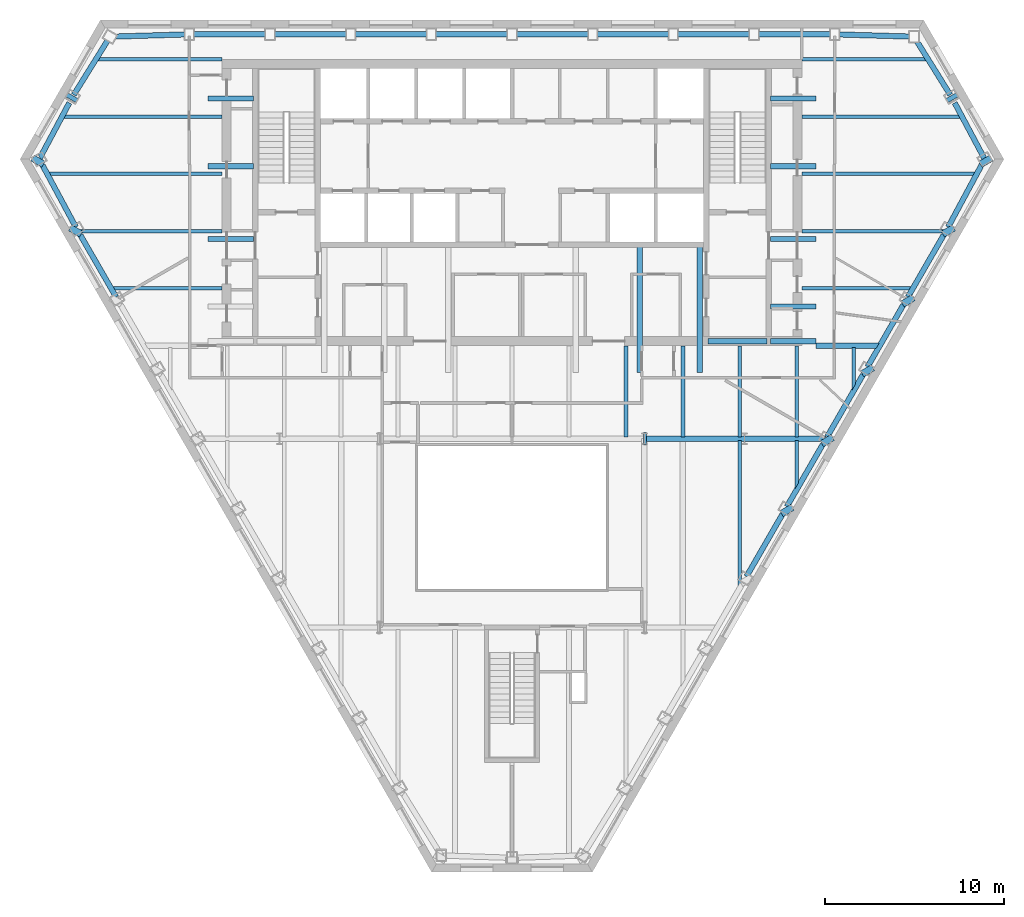
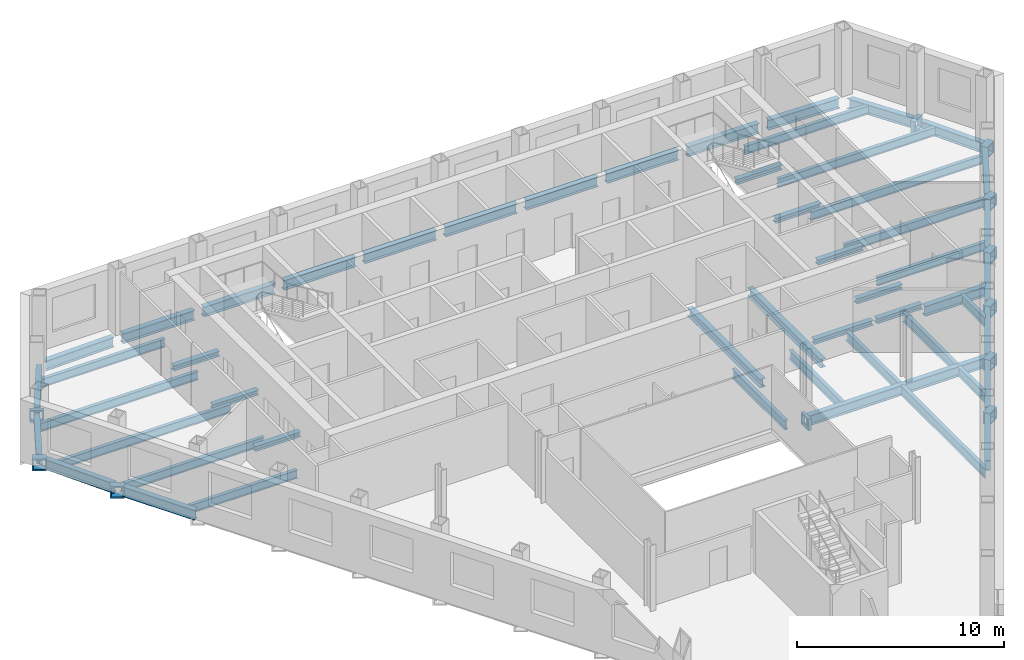
# One storey, part 3 of 11: 64 beams.
"""IFC4 building model written with IfcOpenShell, lengths in metres."""

from ifc_helpers import new_model, si_unit, direction, frame, origin, origin_2d, place, context, subcontext, project, spatial, hollow_rectangle, i_section, extrude, clip, halfspace, material, material_profile, profile_set, type_object, element, save


model = new_model("IFC4")

# Units and contexts
model_context = context("Model", 3, precision=1e-05, world=origin(), true_north=direction((0.0, 1.0)))
body_context = subcontext(model_context, "Body", "Model", "MODEL_VIEW")
ifc_project = project(units=[si_unit("LENGTHUNIT", "METRE"), si_unit("AREAUNIT", "SQUARE_METRE"), si_unit("VOLUMEUNIT", "CUBIC_METRE"), si_unit("PLANEANGLEUNIT", "RADIAN"), si_unit("MASSUNIT", "GRAM", prefix="KILO")], contexts=[model_context])

# Site, building, storey
site_placement = place(None, origin())
site = spatial("IfcSite", under=ifc_project, at=site_placement, CompositionType="ELEMENT")
building_placement = place(site_placement, origin())
building = spatial("IfcBuilding", under=site, at=building_placement, Name="Njiva Tower", CompositionType="ELEMENT")
storey_placement = place(building_placement, frame((0.0, 0.0, 139.8)))
storey = spatial("IfcBuildingStorey", under=building, at=storey_placement, Name="L29", CompositionType="ELEMENT", Elevation=139.8)

# Beams
ifc_material = material(Name="Steel S355 J2", Category="steel")
ifc_material_profile_1 = material_profile(ifc_material, hollow_rectangle(XDim=0.7, YDim=0.7, WallThickness=0.08, at=origin_2d()), Name="BOX 700x700x80")
ifc_profile_set_1 = profile_set([ifc_material_profile_1], Name="Steel S355 J2")
beam_type_1 = type_object("IfcBeamType", Name="B19 Column jog beam BOX 700x700x80", PredefinedType="BEAM", material=ifc_profile_set_1)
beam_1_placement = place(storey_placement, frame((-24.652, 15.747, -0.55), z_axis=(0.499146191955, 0.866517789233, 0.0), x_axis=(-0.866517789233, 0.499146191955, 0.0)))
element("IfcBeam", 1, at=beam_1_placement, inside=storey, type_object=beam_type_1, Name="Column jog beam S10-B044", PredefinedType="BEAM", context=body_context, shape_type="SweptSolid", body=[
    extrude(hollow_rectangle(XDim=0.7, YDim=0.7, WallThickness=0.08, at=origin_2d()), origin(), (0.0, 0.0, 1.0), 0.2504),
])
beam_2_placement = place(storey_placement, frame((-26.578, 12.146, -0.55), z_axis=(0.500102178127, 0.865966403178, 0.0), x_axis=(-0.865966403178, 0.500102178127, 0.0)))
element("IfcBeam", 2, at=beam_2_placement, inside=storey, type_object=beam_type_1, Name="Column jog beam S10-B043", PredefinedType="BEAM", context=body_context, shape_type="SweptSolid", body=[
    extrude(hollow_rectangle(XDim=0.7, YDim=0.7, WallThickness=0.08, at=origin_2d()), origin(), (0.0, 0.0, 1.0), 0.3799),
])
beam_3_placement = place(storey_placement, frame((-24.477, 8.241, -0.55), z_axis=(0.498964444867, 0.866622456874, 0.0), x_axis=(-0.866622456874, 0.498964444867, 0.0)))
element("IfcBeam", 3, at=beam_3_placement, inside=storey, type_object=beam_type_1, Name="Column jog beam S10-B045", PredefinedType="BEAM", context=body_context, shape_type="SweptSolid", body=[
    extrude(hollow_rectangle(XDim=0.7, YDim=0.7, WallThickness=0.08, at=origin_2d()), origin(), (0.0, 0.0, 1.0), 0.3808),
])
for number, where, z_axis, x_axis, name in (
    (4, (15.46, -7.377, -0.55), (-0.500102178127, 0.865966403178, 0.0), (-0.865966403178, -0.500102178127, 0.0), "Column jog beam S10-B065"),
    (5, (17.714, -3.472, -0.55), (-0.500102178127, 0.865966403178, 0.0), (-0.865966403178, -0.500102178127, 0.0), "Column jog beam S10-B066"),
    (6, (19.968, 0.432, -0.55), (-0.500102178127, 0.865966403178, 0.0), (-0.865966403178, -0.500102178127, 0.0), "Column jog beam S10-B067"),
    (7, (22.223, 4.337, -0.55), (-0.500102178127, 0.865966403178, 0.0), (-0.865966403178, -0.500102178127, 0.0), "Column jog beam S10-B068"),
):
    element("IfcBeam", number, at=place(storey_placement, frame(where, z_axis=z_axis, x_axis=x_axis)), inside=storey, type_object=beam_type_1, Name=name, PredefinedType="BEAM", context=body_context, shape_type="SweptSolid", body=[
        extrude(hollow_rectangle(XDim=0.7, YDim=0.7, WallThickness=0.08, at=origin_2d()), origin(), (0.0, 0.0, 1.0), 0.3799),
    ])
beam_4_placement = place(storey_placement, frame((24.477, 8.241, -0.55), z_axis=(-0.498964444867, 0.866622456874, 0.0), x_axis=(-0.866622456874, -0.498964444867, 0.0)))
element("IfcBeam", 8, at=beam_4_placement, inside=storey, type_object=beam_type_1, Name="Column jog beam S10-B069", PredefinedType="BEAM", context=body_context, shape_type="SweptSolid", body=[
    extrude(hollow_rectangle(XDim=0.7, YDim=0.7, WallThickness=0.08, at=origin_2d()), origin(), (0.0, 0.0, 1.0), 0.3808),
])
beam_5_placement = place(storey_placement, frame((26.578, 12.146, -0.55), z_axis=(-0.500102178127, 0.865966403178, 0.0), x_axis=(-0.865966403178, -0.500102178127, 0.0)))
element("IfcBeam", 9, at=beam_5_placement, inside=storey, type_object=beam_type_1, Name="Column jog beam S10-B071", PredefinedType="BEAM", context=body_context, shape_type="SweptSolid", body=[
    extrude(hollow_rectangle(XDim=0.7, YDim=0.7, WallThickness=0.08, at=origin_2d()), origin(), (0.0, 0.0, 1.0), 0.3799),
])
beam_6_placement = place(storey_placement, frame((24.652, 15.747, -0.55), z_axis=(-0.499146191955, 0.866517789233, 0.0), x_axis=(-0.866517789233, -0.499146191955, 0.0)))
element("IfcBeam", 10, at=beam_6_placement, inside=storey, type_object=beam_type_1, Name="Column jog beam S10-B070", PredefinedType="BEAM", context=body_context, shape_type="SweptSolid", body=[
    extrude(hollow_rectangle(XDim=0.7, YDim=0.7, WallThickness=0.08, at=origin_2d()), origin(), (0.0, 0.0, 1.0), 0.2504),
])
beam_7_placement = place(storey_placement, frame((7.52, -3.2, -0.55), z_axis=(-1.0, 0.0, 0.0), x_axis=(0.0, -1.0, 0.0)))
element("IfcBeam", 11, at=beam_7_placement, inside=storey, type_object=beam_type_1, Name="Column jog beam S10-B061", PredefinedType="BEAM", context=body_context, shape_type="SweptSolid", body=[
    extrude(hollow_rectangle(XDim=0.7, YDim=0.7, WallThickness=0.08, at=origin_2d()), origin(), (0.0, 0.0, 1.0), 0.18),
])
ifc_material_profile_2 = material_profile(ifc_material, i_section(OverallWidth=0.2, OverallDepth=0.5, WebThickness=0.0102, FlangeThickness=0.016, at=origin_2d()), Name="IPE 500")
ifc_profile_set_2 = profile_set([ifc_material_profile_2], Name="Steel S355 J2")
beam_type_2 = type_object("IfcBeamType", Name="B24 Floor beam to the core IPE 500", PredefinedType="BEAM", material=ifc_profile_set_2)
beam_8_placement = place(storey_placement, frame((-22.364, 5.2, -0.45), z_axis=(1.0, 0.0, 0.0), x_axis=(0.0, 1.0, 0.0)))
element("IfcBeam", 12, at=beam_8_placement, inside=storey, type_object=beam_type_2, Name="Floor beam to the core S10-B024", PredefinedType="BEAM", context=body_context, shape_type="Clipping", body=[
    clip(extrude(i_section(OverallWidth=0.2, OverallDepth=0.5, WebThickness=0.0102, FlangeThickness=0.016, at=origin_2d()), origin(), (0.0, 0.0, 1.0), 6.164), halfspace(frame((-0.025, 0.0, 0.0929), z_axis=(-0.499998009787, 0.0, -0.866026552831), x_axis=(0.0, -1.0, 0.0)), False)),
])
beam_9_placement = place(storey_placement, frame((16.2, 5.2, -0.45), z_axis=(1.0, 0.0, 0.0), x_axis=(0.0, 1.0, 0.0)))
element("IfcBeam", 13, at=beam_9_placement, inside=storey, type_object=beam_type_2, Name="Floor beam to the core S10-B025", PredefinedType="BEAM", context=body_context, shape_type="Clipping", body=[
    clip(extrude(i_section(OverallWidth=0.2, OverallDepth=0.5, WebThickness=0.0102, FlangeThickness=0.016, at=origin_2d()), origin(), (0.0, 0.0, 1.0), 6.164), halfspace(frame((-0.025, 0.0, 6.0711), z_axis=(-0.499998009787, 0.0, 0.866026552831), x_axis=(0.0, 1.0, 0.0)), False)),
])
beam_10_placement = place(storey_placement, frame((-24.24, 8.4, -0.45), z_axis=(1.0, 0.0, 0.0), x_axis=(0.0, 1.0, 0.0)))
element("IfcBeam", 14, at=beam_10_placement, inside=storey, type_object=beam_type_2, Name="Floor beam to the core S10-B021", PredefinedType="BEAM", context=body_context, shape_type="Clipping", body=[
    clip(extrude(i_section(OverallWidth=0.2, OverallDepth=0.5, WebThickness=0.0102, FlangeThickness=0.016, at=origin_2d()), origin(), (0.0, 0.0, 1.0), 8.04), halfspace(frame((-0.025, 0.0, 0.0921), z_axis=(-0.499998009787, 0.0, -0.866026552831), x_axis=(0.0, -1.0, 0.0)), False)),
])
beam_11_placement = place(storey_placement, frame((16.2, 8.4, -0.45), z_axis=(1.0, 0.0, 0.0), x_axis=(0.0, 1.0, 0.0)))
element("IfcBeam", 15, at=beam_11_placement, inside=storey, type_object=beam_type_2, Name="Floor beam to the core S10-B027", PredefinedType="BEAM", context=body_context, shape_type="Clipping", body=[
    clip(extrude(i_section(OverallWidth=0.2, OverallDepth=0.5, WebThickness=0.0102, FlangeThickness=0.016, at=origin_2d()), origin(), (0.0, 0.0, 1.0), 8.04), halfspace(frame((-0.025, 0.0, 7.9479), z_axis=(-0.499998009787, 0.0, 0.866026552831), x_axis=(0.0, 1.0, 0.0)), False)),
])
beam_12_placement = place(storey_placement, frame((-25.11, 14.8, -0.45), z_axis=(1.0, 0.0, 0.0), x_axis=(0.0, 1.0, 0.0)))
element("IfcBeam", 16, at=beam_12_placement, inside=storey, type_object=beam_type_2, Name="Floor beam to the core S10-B020", PredefinedType="BEAM", context=body_context, shape_type="Clipping", body=[
    clip(extrude(i_section(OverallWidth=0.2, OverallDepth=0.5, WebThickness=0.0102, FlangeThickness=0.016, at=origin_2d()), origin(), (0.0, 0.0, 1.0), 8.91), halfspace(frame((0.0235, 0.0, 0.0859), z_axis=(0.470559169346, 0.0, -0.8823684424), x_axis=(0.0, -1.0, 0.0)), False)),
])
beam_13_placement = place(storey_placement, frame((16.2, 14.8, -0.45), z_axis=(1.0, 0.0, 0.0), x_axis=(0.0, 1.0, 0.0)))
element("IfcBeam", 17, at=beam_13_placement, inside=storey, type_object=beam_type_2, Name="Floor beam to the core S10-B029", PredefinedType="BEAM", context=body_context, shape_type="Clipping", body=[
    clip(extrude(i_section(OverallWidth=0.2, OverallDepth=0.5, WebThickness=0.0102, FlangeThickness=0.016, at=origin_2d()), origin(), (0.0, 0.0, 1.0), 8.91), halfspace(frame((0.0235, 0.0, 8.8241), z_axis=(0.470559169346, 0.0, 0.8823684424), x_axis=(0.0, 1.0, 0.0)), False)),
])
beam_14_placement = place(storey_placement, frame((-23.22, 18.0, -0.45), z_axis=(1.0, 0.0, 0.0), x_axis=(0.0, 1.0, 0.0)))
element("IfcBeam", 18, at=beam_14_placement, inside=storey, type_object=beam_type_2, Name="Floor beam to the core S10-B023", PredefinedType="BEAM", context=body_context, shape_type="Clipping", body=[
    clip(extrude(i_section(OverallWidth=0.2, OverallDepth=0.5, WebThickness=0.0102, FlangeThickness=0.016, at=origin_2d()), origin(), (0.0, 0.0, 1.0), 7.02), halfspace(frame((0.0264, 0.0, 0.0986), z_axis=(0.528871278045, 0.0, -0.848702050933), x_axis=(0.0, -1.0, 0.0)), False)),
])
beam_15_placement = place(storey_placement, frame((16.2, 18.0, -0.45), z_axis=(1.0, 0.0, 0.0), x_axis=(0.0, 1.0, 0.0)))
element("IfcBeam", 19, at=beam_15_placement, inside=storey, type_object=beam_type_2, Name="Floor beam to the core S10-B030", PredefinedType="BEAM", context=body_context, shape_type="Clipping", body=[
    clip(extrude(i_section(OverallWidth=0.2, OverallDepth=0.5, WebThickness=0.0102, FlangeThickness=0.016, at=origin_2d()), origin(), (0.0, 0.0, 1.0), 7.02), halfspace(frame((0.0264, 0.0, 6.9214), z_axis=(0.528871278045, 0.0, 0.848702050933), x_axis=(0.0, 1.0, 0.0)), False)),
])
ifc_material_profile_3 = material_profile(ifc_material, i_section(OverallWidth=0.3, OverallDepth=0.59, WebThickness=0.013, FlangeThickness=0.025, at=origin_2d()), Name="HEA 600")
ifc_profile_set_3 = profile_set([ifc_material_profile_3], Name="Steel S355 J2")
beam_type_3 = type_object("IfcBeamType", Name="B27 Short-span spandrel beam HEA 600", PredefinedType="SPANDREL", material=ifc_profile_set_3)
beam_16_placement = place(storey_placement, frame((22.212, 19.275, -0.495), z_axis=(-0.999555783921, 0.029803268787, 0.0), x_axis=(-0.029803268787, -0.999555783921, 0.0)))
element("IfcBeam", 20, at=beam_16_placement, inside=storey, type_object=beam_type_3, Name="Short-span spandrel beam S10-B158", PredefinedType="SPANDREL", context=body_context, shape_type="SweptSolid", body=[
    extrude(i_section(OverallWidth=0.3, OverallDepth=0.59, WebThickness=0.013, FlangeThickness=0.025, at=origin_2d()), origin(), (0.0, 0.0, 1.0), 3.9257),
])
beam_17_placement = place(storey_placement, frame((17.784, 19.4, -0.495), z_axis=(-1.0, 0.0, 0.0), x_axis=(0.0, -1.0, 0.0)))
element("IfcBeam", 21, at=beam_17_placement, inside=storey, type_object=beam_type_3, Name="Short-span spandrel beam S10-B153", PredefinedType="SPANDREL", context=body_context, shape_type="SweptSolid", body=[
    extrude(i_section(OverallWidth=0.3, OverallDepth=0.59, WebThickness=0.013, FlangeThickness=0.025, at=origin_2d()), origin(), (0.0, 0.0, 1.0), 4.008),
])
beam_18_placement = place(storey_placement, frame((13.276, 19.4, -0.495), z_axis=(-1.0, 0.0, 0.0), x_axis=(0.0, -1.0, 0.0)))
element("IfcBeam", 22, at=beam_18_placement, inside=storey, type_object=beam_type_3, Name="Short-span spandrel beam S10-B148", PredefinedType="SPANDREL", context=body_context, shape_type="SweptSolid", body=[
    extrude(i_section(OverallWidth=0.3, OverallDepth=0.59, WebThickness=0.013, FlangeThickness=0.025, at=origin_2d()), origin(), (0.0, 0.0, 1.0), 4.009),
])
beam_19_placement = place(storey_placement, frame((8.767, 19.4, -0.495), z_axis=(-1.0, 0.0, 0.0), x_axis=(0.0, -1.0, 0.0)))
element("IfcBeam", 23, at=beam_19_placement, inside=storey, type_object=beam_type_3, Name="Short-span spandrel beam S10-B143", PredefinedType="SPANDREL", context=body_context, shape_type="SweptSolid", body=[
    extrude(i_section(OverallWidth=0.3, OverallDepth=0.59, WebThickness=0.013, FlangeThickness=0.025, at=origin_2d()), origin(), (0.0, 0.0, 1.0), 4.008),
])
for number, where, z_axis, x_axis, name in (
    (24, (4.259, 19.4, -0.495), (-1.0, 0.0, 0.0), (0.0, -1.0, 0.0), "Short-span spandrel beam S10-B140"),
    (25, (-0.25, 19.4, -0.495), (-1.0, 0.0, 0.0), (0.0, -1.0, 0.0), "Short-span spandrel beam S10-B135"),
):
    element("IfcBeam", number, at=place(storey_placement, frame(where, z_axis=z_axis, x_axis=x_axis)), inside=storey, type_object=beam_type_3, Name=name, PredefinedType="SPANDREL", context=body_context, shape_type="SweptSolid", body=[
        extrude(i_section(OverallWidth=0.3, OverallDepth=0.59, WebThickness=0.013, FlangeThickness=0.025, at=origin_2d()), origin(), (0.0, 0.0, 1.0), 4.009),
    ])
beam_20_placement = place(storey_placement, frame((-4.759, 19.4, -0.495), z_axis=(-1.0, 0.0, 0.0), x_axis=(0.0, -1.0, 0.0)))
element("IfcBeam", 26, at=beam_20_placement, inside=storey, type_object=beam_type_3, Name="Short-span spandrel beam S10-B130", PredefinedType="SPANDREL", context=body_context, shape_type="SweptSolid", body=[
    extrude(i_section(OverallWidth=0.3, OverallDepth=0.59, WebThickness=0.013, FlangeThickness=0.025, at=origin_2d()), origin(), (0.0, 0.0, 1.0), 4.008),
])
beam_21_placement = place(storey_placement, frame((-9.267, 19.4, -0.495), z_axis=(-1.0, 0.0, 0.0), x_axis=(0.0, -1.0, 0.0)))
element("IfcBeam", 27, at=beam_21_placement, inside=storey, type_object=beam_type_3, Name="Short-span spandrel beam S10-B125", PredefinedType="SPANDREL", context=body_context, shape_type="SweptSolid", body=[
    extrude(i_section(OverallWidth=0.3, OverallDepth=0.59, WebThickness=0.013, FlangeThickness=0.025, at=origin_2d()), origin(), (0.0, 0.0, 1.0), 4.009),
])
beam_22_placement = place(storey_placement, frame((-13.776, 19.4, -0.495), z_axis=(-1.0, 0.0, 0.0), x_axis=(0.0, -1.0, 0.0)))
element("IfcBeam", 28, at=beam_22_placement, inside=storey, type_object=beam_type_3, Name="Short-span spandrel beam S10-B120", PredefinedType="SPANDREL", context=body_context, shape_type="SweptSolid", body=[
    extrude(i_section(OverallWidth=0.3, OverallDepth=0.59, WebThickness=0.013, FlangeThickness=0.025, at=origin_2d()), origin(), (0.0, 0.0, 1.0), 4.008),
])
beam_23_placement = place(storey_placement, frame((-18.288, 19.392, -0.495), z_axis=(-0.999548579163, -0.030043932724, 0.0), x_axis=(0.030043932724, -0.999548579163, 0.0)))
element("IfcBeam", 29, at=beam_23_placement, inside=storey, type_object=beam_type_3, Name="Short-span spandrel beam S10-B115", PredefinedType="SPANDREL", context=body_context, shape_type="Clipping", body=[
    clip(extrude(i_section(OverallWidth=0.3, OverallDepth=0.59, WebThickness=0.013, FlangeThickness=0.025, at=origin_2d()), origin(), (0.0, 0.0, 1.0), 3.9407), halfspace(frame((-0.0268, 0.0, 3.811), z_axis=(-0.525791143758, 0.0, 0.850613703832), x_axis=(0.0, 1.0, 0.0)), False)),
])
beam_24_placement = place(storey_placement, frame((-22.601, 19.051, -0.495), z_axis=(-0.528741021895, -0.848783206576, 0.0), x_axis=(0.848783206576, -0.528741021895, 0.0)))
element("IfcBeam", 30, at=beam_24_placement, inside=storey, type_object=beam_type_3, Name="Short-span spandrel beam S10-B111", PredefinedType="SPANDREL", context=body_context, shape_type="SweptSolid", body=[
    extrude(i_section(OverallWidth=0.3, OverallDepth=0.59, WebThickness=0.013, FlangeThickness=0.025, at=origin_2d()), origin(), (0.0, 0.0, 1.0), 3.5745),
])
beam_25_placement = place(storey_placement, frame((-24.738, 15.572, -0.495), z_axis=(-0.470618059864, -0.882337034092, 0.0), x_axis=(0.882337034092, -0.470618059864, 0.0)))
element("IfcBeam", 31, at=beam_25_placement, inside=storey, type_object=beam_type_3, Name="Short-span spandrel beam S10-B107", PredefinedType="SPANDREL", context=body_context, shape_type="Clipping", body=[
    clip(extrude(i_section(OverallWidth=0.3, OverallDepth=0.59, WebThickness=0.013, FlangeThickness=0.025, at=origin_2d()), origin(), (0.0, 0.0, 1.0), 3.5935), halfspace(frame((-0.0264, 0.0, 3.4646), z_axis=(-0.528819206768, 0.0, 0.848734497091), x_axis=(0.0, 1.0, 0.0)), False)),
])
beam_26_placement = place(storey_placement, frame((-26.236, 12.085, -0.495), z_axis=(0.473902399483, -0.880577376364, 0.0), x_axis=(0.880577376364, 0.473902399483, 0.0)))
element("IfcBeam", 32, at=beam_26_placement, inside=storey, type_object=beam_type_3, Name="Short-span spandrel beam S10-B110", PredefinedType="SPANDREL", context=body_context, shape_type="SweptSolid", body=[
    extrude(i_section(OverallWidth=0.3, OverallDepth=0.59, WebThickness=0.013, FlangeThickness=0.025, at=origin_2d()), origin(), (0.0, 0.0, 1.0), 3.927),
])
beam_27_placement = place(storey_placement, frame((-24.127, 8.189, -0.495), z_axis=(0.500003221507, -0.866023543838, 0.0), x_axis=(0.866023543838, 0.500003221507, 0.0)))
element("IfcBeam", 33, at=beam_27_placement, inside=storey, type_object=beam_type_3, Name="Short-span spandrel beam S10-B114", PredefinedType="SPANDREL", context=body_context, shape_type="SweptSolid", body=[
    extrude(i_section(OverallWidth=0.3, OverallDepth=0.59, WebThickness=0.013, FlangeThickness=0.025, at=origin_2d()), origin(), (0.0, 0.0, 1.0), 4.008),
])
beam_28_placement = place(storey_placement, frame((13.105, -10.901, -0.495), z_axis=(0.500082280366, 0.865977893981, 0.0), x_axis=(-0.865977893981, 0.500082280366, 0.0)))
element("IfcBeam", 34, at=beam_28_placement, inside=storey, type_object=beam_type_3, Name="Short-span spandrel beam S10-B151", PredefinedType="SPANDREL", context=body_context, shape_type="SweptSolid", body=[
    extrude(i_section(OverallWidth=0.3, OverallDepth=0.59, WebThickness=0.013, FlangeThickness=0.025, at=origin_2d()), origin(), (0.0, 0.0, 1.0), 4.0093),
])
beam_29_placement = place(storey_placement, frame((15.36, -6.996, -0.495), z_axis=(0.499895202697, 0.866085900082, 0.0), x_axis=(-0.866085900082, 0.499895202697, 0.0)))
element("IfcBeam", 35, at=beam_29_placement, inside=storey, type_object=beam_type_3, Name="Short-span spandrel beam S10-B154", PredefinedType="SPANDREL", context=body_context, shape_type="SweptSolid", body=[
    extrude(i_section(OverallWidth=0.3, OverallDepth=0.59, WebThickness=0.013, FlangeThickness=0.025, at=origin_2d()), origin(), (0.0, 0.0, 1.0), 4.0088),
])
beam_30_placement = place(storey_placement, frame((17.614, -3.091, -0.495), z_axis=(0.500003221507, 0.866023543838, 0.0), x_axis=(-0.866023543838, 0.500003221507, 0.0)))
element("IfcBeam", 36, at=beam_30_placement, inside=storey, type_object=beam_type_3, Name="Short-span spandrel beam S10-B156", PredefinedType="SPANDREL", context=body_context, shape_type="SweptSolid", body=[
    extrude(i_section(OverallWidth=0.3, OverallDepth=0.59, WebThickness=0.013, FlangeThickness=0.025, at=origin_2d()), origin(), (0.0, 0.0, 1.0), 4.008),
])
beam_31_placement = place(storey_placement, frame((19.868, 0.813, -0.495), z_axis=(0.500082280366, 0.865977893981, 0.0), x_axis=(-0.865977893981, 0.500082280366, 0.0)))
element("IfcBeam", 37, at=beam_31_placement, inside=storey, type_object=beam_type_3, Name="Short-span spandrel beam S10-B159", PredefinedType="SPANDREL", context=body_context, shape_type="SweptSolid", body=[
    extrude(i_section(OverallWidth=0.3, OverallDepth=0.59, WebThickness=0.013, FlangeThickness=0.025, at=origin_2d()), origin(), (0.0, 0.0, 1.0), 4.0093),
])
beam_32_placement = place(storey_placement, frame((22.123, 4.718, -0.495), z_axis=(0.500003221507, 0.866023543838, 0.0), x_axis=(-0.866023543838, 0.500003221507, 0.0)))
element("IfcBeam", 38, at=beam_32_placement, inside=storey, type_object=beam_type_3, Name="Short-span spandrel beam S10-B161", PredefinedType="SPANDREL", context=body_context, shape_type="SweptSolid", body=[
    extrude(i_section(OverallWidth=0.3, OverallDepth=0.59, WebThickness=0.013, FlangeThickness=0.025, at=origin_2d()), origin(), (0.0, 0.0, 1.0), 4.008),
])
beam_33_placement = place(storey_placement, frame((24.375, 8.627, -0.495), z_axis=(0.47388891816, 0.880584631506, 0.0), x_axis=(-0.880584631506, 0.47388891816, 0.0)))
element("IfcBeam", 39, at=beam_33_placement, inside=storey, type_object=beam_type_3, Name="Short-span spandrel beam S10-B165", PredefinedType="SPANDREL", context=body_context, shape_type="Clipping", body=[
    clip(extrude(i_section(OverallWidth=0.3, OverallDepth=0.59, WebThickness=0.013, FlangeThickness=0.025, at=origin_2d()), origin(), (0.0, 0.0, 1.0), 4.0717), halfspace(frame((-0.026, 0.0, 3.9423), z_axis=(-0.52566615696, 0.0, 0.850690949421), x_axis=(0.0, 1.0, 0.0)), False)),
])
beam_34_placement = place(storey_placement, frame((26.418, 12.423, -0.495), z_axis=(-0.470704569456, 0.882290886439, 0.0), x_axis=(-0.882290886439, -0.470704569456, 0.0)))
element("IfcBeam", 40, at=beam_34_placement, inside=storey, type_object=beam_type_3, Name="Short-span spandrel beam S10-B168", PredefinedType="SPANDREL", context=body_context, shape_type="SweptSolid", body=[
    extrude(i_section(OverallWidth=0.3, OverallDepth=0.59, WebThickness=0.013, FlangeThickness=0.025, at=origin_2d()), origin(), (0.0, 0.0, 1.0), 3.5691),
])
beam_35_placement = place(storey_placement, frame((24.491, 16.017, -0.495), z_axis=(-0.528808791041, 0.848740986708, 0.0), x_axis=(-0.848740986708, -0.528808791041, 0.0)))
element("IfcBeam", 41, at=beam_35_placement, inside=storey, type_object=beam_type_3, Name="Short-span spandrel beam S10-B164", PredefinedType="SPANDREL", context=body_context, shape_type="Clipping", body=[
    clip(extrude(i_section(OverallWidth=0.3, OverallDepth=0.59, WebThickness=0.013, FlangeThickness=0.025, at=origin_2d()), origin(), (0.0, 0.0, 1.0), 3.5887), halfspace(frame((-0.0266, 0.0, 3.4592), z_axis=(-0.528808791041, 0.0, 0.848740986708), x_axis=(0.0, 1.0, 0.0)), False)),
])
ifc_material_profile_4 = material_profile(ifc_material, i_section(OverallWidth=0.3, OverallDepth=0.59, WebThickness=0.013, FlangeThickness=0.025, at=origin_2d()), Name="HEA 600")
ifc_profile_set_4 = profile_set([ifc_material_profile_4], Name="Steel S355 J2")
beam_type_4 = type_object("IfcBeamType", Name="B28 Floor girder HEA 600", PredefinedType="BEAM", material=ifc_profile_set_4)
beam_36_placement = place(storey_placement, frame((7.4, -3.2, -0.495), z_axis=(1.0, 0.0, 0.0), x_axis=(0.0, 1.0, 0.0)))
element("IfcBeam", 42, at=beam_36_placement, inside=storey, type_object=beam_type_4, Name="Floor girder S10-B038", PredefinedType="BEAM", context=body_context, shape_type="SweptSolid", body=[
    extrude(i_section(OverallWidth=0.3, OverallDepth=0.59, WebThickness=0.013, FlangeThickness=0.025, at=origin_2d()), origin(), (0.0, 0.0, 1.0), 5.6),
])
ifc_material_profile_5 = material_profile(ifc_material, i_section(OverallWidth=0.3, OverallDepth=0.59, WebThickness=0.013, FlangeThickness=0.025, at=origin_2d()), Name="HEA 600")
ifc_profile_set_5 = profile_set([ifc_material_profile_5], Name="Steel S355 J2")
beam_type_5 = type_object("IfcBeamType", Name="B29 Short-span floor girder HEA 600", PredefinedType="BEAM", material=ifc_profile_set_5)
beam_37_placement = place(storey_placement, frame((13.0, -3.2, -0.495), z_axis=(1.0, 0.0, 0.0), x_axis=(0.0, 1.0, 0.0)))
element("IfcBeam", 43, at=beam_37_placement, inside=storey, type_object=beam_type_5, Name="Short-span floor girder S10-B040", PredefinedType="BEAM", context=body_context, shape_type="Clipping", body=[
    clip(extrude(i_section(OverallWidth=0.3, OverallDepth=0.59, WebThickness=0.013, FlangeThickness=0.025, at=origin_2d()), origin(), (0.0, 0.0, 1.0), 4.572), halfspace(frame((-0.025, 0.0, 4.4502), z_axis=(-0.499998009787, 0.0, 0.866026552831), x_axis=(0.0, 1.0, 0.0)), False)),
])
beam_38_placement = place(storey_placement, frame((17.0, 2.0, -0.495), z_axis=(1.0, 0.0, 0.0), x_axis=(0.0, 1.0, 0.0)))
element("IfcBeam", 44, at=beam_38_placement, inside=storey, type_object=beam_type_5, Name="Short-span floor girder S10-B042", PredefinedType="BEAM", context=body_context, shape_type="Clipping", body=[
    clip(extrude(i_section(OverallWidth=0.3, OverallDepth=0.59, WebThickness=0.013, FlangeThickness=0.025, at=origin_2d()), origin(), (0.0, 0.0, 1.0), 3.545), halfspace(frame((-0.025, 0.0, 3.4236), z_axis=(-0.499998009787, 0.0, 0.866026552831), x_axis=(0.0, 1.0, 0.0)), False)),
])
ifc_material_profile_6 = material_profile(ifc_material, i_section(OverallWidth=0.21, OverallDepth=0.55, WebThickness=0.0111, FlangeThickness=0.0172, at=origin_2d()), Name="IPE 550")
ifc_profile_set_6 = profile_set([ifc_material_profile_6], Name="Steel S355 J2")
beam_type_6 = type_object("IfcBeamType", Name="B31 Short-span floor joist IPE 550", PredefinedType="JOIST", material=ifc_profile_set_6)
beam_39_placement = place(storey_placement, frame((15.917, -3.3, -0.475), z_axis=(0.0, -1.0, 0.0), x_axis=(1.0, 0.0, 0.0)))
element("IfcBeam", 45, at=beam_39_placement, inside=storey, type_object=beam_type_6, Name="Short-span floor joist S10-B098", PredefinedType="JOIST", context=body_context, shape_type="Clipping", body=[
    clip(extrude(i_section(OverallWidth=0.21, OverallDepth=0.55, WebThickness=0.0111, FlangeThickness=0.0172, at=origin_2d()), origin(), (0.0, 0.0, 1.0), 2.733), halfspace(frame((0.043, 0.0, 2.4562), z_axis=(0.866026552831, 0.0, 0.499998009787), x_axis=(0.0, 1.0, 0.0)), False)),
])
beam_40_placement = place(storey_placement, frame((19.1, 1.9, -0.475), z_axis=(0.0, -1.0, 0.0), x_axis=(1.0, 0.0, 0.0)))
element("IfcBeam", 46, at=beam_40_placement, inside=storey, type_object=beam_type_6, Name="Short-span floor joist S10-B100", PredefinedType="JOIST", context=body_context, shape_type="Clipping", body=[
    clip(extrude(i_section(OverallWidth=0.21, OverallDepth=0.55, WebThickness=0.0111, FlangeThickness=0.0172, at=origin_2d()), origin(), (0.0, 0.0, 1.0), 2.419), halfspace(frame((0.0433, 0.0, 2.1425), z_axis=(0.866026552831, 0.0, 0.499998009787), x_axis=(0.0, 1.0, 0.0)), False)),
])
ifc_material_profile_7 = material_profile(ifc_material, i_section(OverallWidth=0.21, OverallDepth=0.55, WebThickness=0.0111, FlangeThickness=0.0172, at=origin_2d()), Name="IPE 550")
ifc_profile_set_7 = profile_set([ifc_material_profile_7], Name="Steel S355 J2")
beam_type_7 = type_object("IfcBeamType", Name="B32 Floor joist IPE 550", PredefinedType="JOIST", material=ifc_profile_set_7)
beam_41_placement = place(storey_placement, frame((6.367, 1.995, -0.475), z_axis=(0.0, -1.0, 0.0), x_axis=(1.0, 0.0, 0.0)))
element("IfcBeam", 47, at=beam_41_placement, inside=storey, type_object=beam_type_7, Name="Floor joist S10-B092", PredefinedType="JOIST", context=body_context, shape_type="SweptSolid", body=[
    extrude(i_section(OverallWidth=0.21, OverallDepth=0.55, WebThickness=0.0111, FlangeThickness=0.0172, at=origin_2d()), origin(), (0.0, 0.0, 1.0), 5.094),
])
for number, where, z_axis, x_axis, name in (
    (48, (9.55, 1.995, -0.475), (0.0, -1.0, 0.0), (1.0, 0.0, 0.0), "Floor joist S10-B095"),
    (49, (12.733, 1.995, -0.475), (0.0, -1.0, 0.0), (1.0, 0.0, 0.0), "Floor joist S10-B097"),
):
    element("IfcBeam", number, at=place(storey_placement, frame(where, z_axis=z_axis, x_axis=x_axis)), inside=storey, type_object=beam_type_7, Name=name, PredefinedType="JOIST", context=body_context, shape_type="SweptSolid", body=[
        extrude(i_section(OverallWidth=0.21, OverallDepth=0.55, WebThickness=0.0111, FlangeThickness=0.0172, at=origin_2d()), origin(), (0.0, 0.0, 1.0), 5.095),
    ])
beam_42_placement = place(storey_placement, frame((12.733, -3.3, -0.475), z_axis=(0.0, -1.0, 0.0), x_axis=(1.0, 0.0, 0.0)))
element("IfcBeam", 50, at=beam_42_placement, inside=storey, type_object=beam_type_7, Name="Floor joist S10-B096", PredefinedType="JOIST", context=body_context, shape_type="Clipping", body=[
    clip(extrude(i_section(OverallWidth=0.21, OverallDepth=0.55, WebThickness=0.0111, FlangeThickness=0.0172, at=origin_2d()), origin(), (0.0, 0.0, 1.0), 8.247), halfspace(frame((0.0436, 0.0, 7.9699), z_axis=(0.866026552831, 0.0, 0.499998009787), x_axis=(0.0, 1.0, 0.0)), False)),
])
beam_43_placement = place(storey_placement, frame((15.917, 1.995, -0.475), z_axis=(0.0, -1.0, 0.0), x_axis=(1.0, 0.0, 0.0)))
element("IfcBeam", 51, at=beam_43_placement, inside=storey, type_object=beam_type_7, Name="Floor joist S10-B099", PredefinedType="JOIST", context=body_context, shape_type="SweptSolid", body=[
    extrude(i_section(OverallWidth=0.21, OverallDepth=0.55, WebThickness=0.0111, FlangeThickness=0.0172, at=origin_2d()), origin(), (0.0, 0.0, 1.0), 5.095),
])
ifc_material_profile_8 = material_profile(ifc_material, i_section(OverallWidth=0.2, OverallDepth=0.5, WebThickness=0.0102, FlangeThickness=0.016, at=origin_2d()), Name="IPE 500")
ifc_profile_set_8 = profile_set([ifc_material_profile_8], Name="Steel S355 J2")
beam_type_8 = type_object("IfcBeamType", Name="B33 Long-span floor beam to the core IPE 500", PredefinedType="BEAM", material=ifc_profile_set_8)
beam_44_placement = place(storey_placement, frame((-25.935, 11.6, -0.45), z_axis=(1.0, 0.0, 0.0), x_axis=(0.0, 1.0, 0.0)))
element("IfcBeam", 52, at=beam_44_placement, inside=storey, type_object=beam_type_8, Name="Long-span floor beam to the core S10-B019", PredefinedType="BEAM", context=body_context, shape_type="Clipping", body=[
    clip(extrude(i_section(OverallWidth=0.2, OverallDepth=0.5, WebThickness=0.0102, FlangeThickness=0.016, at=origin_2d()), origin(), (0.0, 0.0, 1.0), 9.735), halfspace(frame((-0.0237, 0.0, 0.0866), z_axis=(-0.473777178452, 0.0, -0.88064475538), x_axis=(0.0, -1.0, 0.0)), False)),
])
beam_45_placement = place(storey_placement, frame((16.2, 11.6, -0.45), z_axis=(1.0, 0.0, 0.0), x_axis=(0.0, 1.0, 0.0)))
element("IfcBeam", 53, at=beam_45_placement, inside=storey, type_object=beam_type_8, Name="Long-span floor beam to the core S10-B028", PredefinedType="BEAM", context=body_context, shape_type="Clipping", body=[
    clip(extrude(i_section(OverallWidth=0.2, OverallDepth=0.5, WebThickness=0.0102, FlangeThickness=0.016, at=origin_2d()), origin(), (0.0, 0.0, 1.0), 9.735), halfspace(frame((-0.0237, 0.0, 9.6484), z_axis=(-0.473777178452, 0.0, 0.88064475538), x_axis=(0.0, 1.0, 0.0)), False)),
])
ifc_material_profile_9 = material_profile(ifc_material, i_section(OverallWidth=0.3, OverallDepth=0.5, WebThickness=0.0145, FlangeThickness=0.028, at=origin_2d()), Name="HEB 500")
ifc_profile_set_9 = profile_set([ifc_material_profile_9], Name="Steel S355 J2")
beam_type_9 = type_object("IfcBeamType", Name="B34 Core wall transfer girder HEB 500", PredefinedType="BEAM", material=ifc_profile_set_9)
for number, where, z_axis, x_axis, name in (
    (54, (7.133, 0.5, -0.45), (0.0, 1.0, 0.0), (-1.0, 0.0, 0.0), "Core wall transfer girder S10-B011"),
    (55, (10.5, 0.5, -0.45), (0.0, 1.0, 0.0), (-1.0, 0.0, 0.0), "Core wall transfer girder S10-B012"),
):
    element("IfcBeam", number, at=place(storey_placement, frame(where, z_axis=z_axis, x_axis=x_axis)), inside=storey, type_object=beam_type_9, Name=name, PredefinedType="BEAM", context=body_context, shape_type="SweptSolid", body=[
        extrude(i_section(OverallWidth=0.3, OverallDepth=0.5, WebThickness=0.0145, FlangeThickness=0.028, at=origin_2d()), origin(), (0.0, 0.0, 1.0), 7.05),
    ])
ifc_material_profile_10 = material_profile(ifc_material, i_section(OverallWidth=0.3, OverallDepth=0.3, WebThickness=0.011, FlangeThickness=0.019, at=origin_2d()), Name="HEB 300")
ifc_profile_set_10 = profile_set([ifc_material_profile_10], Name="Steel S355 J2")
beam_type_10 = type_object("IfcBeamType", Name="B35 Core wall transfer girder HEB 300", PredefinedType="BEAM", material=ifc_profile_set_10)
beam_46_placement = place(storey_placement, frame((10.95, 2.25, -0.35), z_axis=(1.0, 0.0, 0.0), x_axis=(0.0, 1.0, 0.0)))
element("IfcBeam", 56, at=beam_46_placement, inside=storey, type_object=beam_type_10, Name="Core wall transfer girder S10-B013", PredefinedType="BEAM", context=body_context, shape_type="SweptSolid", body=[
    extrude(i_section(OverallWidth=0.3, OverallDepth=0.3, WebThickness=0.011, FlangeThickness=0.019, at=origin_2d()), origin(), (0.0, 0.0, 1.0), 3.3),
])
for number, where, z_axis, x_axis, name in (
    (57, (14.45, 2.25, -0.35), (1.0, 0.0, 0.0), (0.0, 1.0, 0.0), "Core wall transfer girder S10-B014"),
    (58, (-17.0, 7.963, -0.35), (1.0, 0.0, 0.0), (0.0, 1.0, 0.0), "Core wall transfer girder S10-B003"),
    (59, (-17.0, 12.037, -0.35), (1.0, 0.0, 0.0), (0.0, 1.0, 0.0), "Core wall transfer girder S10-B004"),
    (60, (-17.0, 15.812, -0.35), (1.0, 0.0, 0.0), (0.0, 1.0, 0.0), "Core wall transfer girder S10-B005"),
    (61, (14.45, 4.188, -0.35), (1.0, 0.0, 0.0), (0.0, 1.0, 0.0), "Core wall transfer girder S10-B015"),
    (62, (14.45, 7.963, -0.35), (1.0, 0.0, 0.0), (0.0, 1.0, 0.0), "Core wall transfer girder S10-B016"),
    (63, (14.45, 12.037, -0.35), (1.0, 0.0, 0.0), (0.0, 1.0, 0.0), "Core wall transfer girder S10-B017"),
    (64, (14.45, 15.812, -0.35), (1.0, 0.0, 0.0), (0.0, 1.0, 0.0), "Core wall transfer girder S10-B018"),
):
    element("IfcBeam", number, at=place(storey_placement, frame(where, z_axis=z_axis, x_axis=x_axis)), inside=storey, type_object=beam_type_10, Name=name, PredefinedType="BEAM", context=body_context, shape_type="SweptSolid", body=[
        extrude(i_section(OverallWidth=0.3, OverallDepth=0.3, WebThickness=0.011, FlangeThickness=0.019, at=origin_2d()), origin(), (0.0, 0.0, 1.0), 2.55),
    ])

save(model, "model.ifc")
